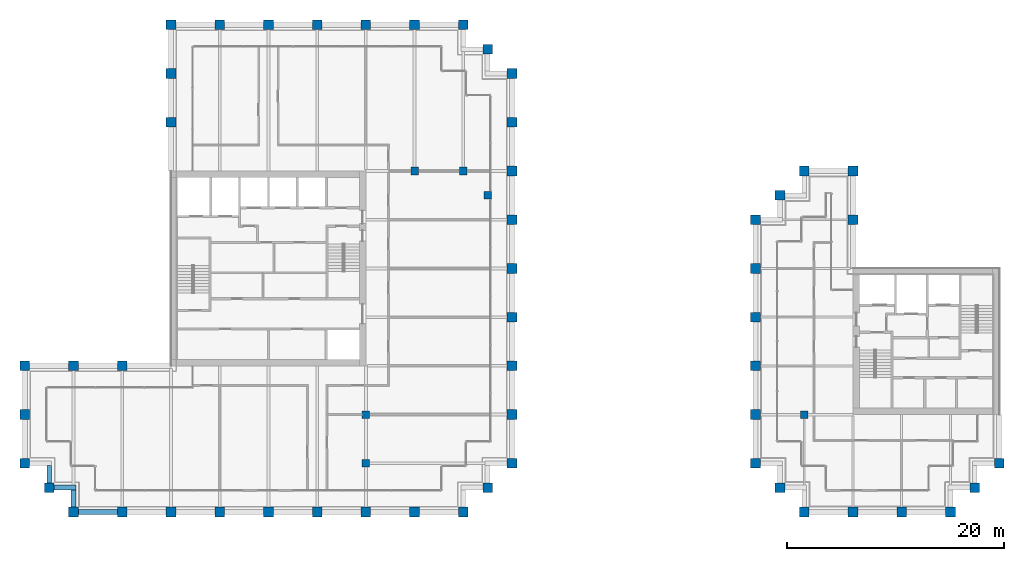
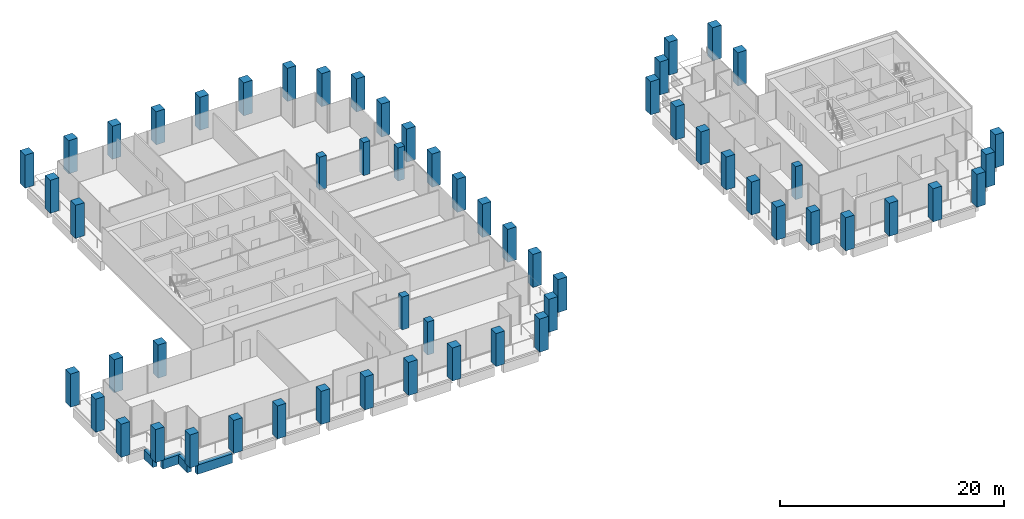
# One storey, part 1 of 40: 58 columns, 4 beams.
"""IFC4 building model written with IfcOpenShell, lengths in metres."""

from ifc_helpers import new_model, si_unit, direction, frame, origin, origin_2d, place, context, subcontext, project, spatial, rectangle, extrude, material, material_profile, profile_set, type_object, element, save


model = new_model("IFC4")

# Units and contexts
model_context = context("Model", 3, precision=1e-05, world=origin(), true_north=direction((0.0, 1.0)))
body_context = subcontext(model_context, "Body", "Model", "MODEL_VIEW")
ifc_project = project(units=[si_unit("LENGTHUNIT", "METRE"), si_unit("AREAUNIT", "SQUARE_METRE"), si_unit("VOLUMEUNIT", "CUBIC_METRE"), si_unit("PLANEANGLEUNIT", "RADIAN"), si_unit("MASSUNIT", "GRAM", prefix="KILO")], contexts=[model_context])

# Site, building, storey
site_placement = place(None, origin())
site = spatial("IfcSite", under=ifc_project, at=site_placement, CompositionType="ELEMENT")
building_placement = place(site_placement, origin())
building = spatial("IfcBuilding", under=site, at=building_placement, Name="Altepetl Exchange Towers", CompositionType="ELEMENT")
storey_placement = place(building_placement, frame((0.0, 0.0, 151.0)))
storey = spatial("IfcBuildingStorey", under=building, at=storey_placement, Name="L37", CompositionType="ELEMENT", Elevation=151.0)

# Columns
ifc_material_1 = material(Name="Concrete C70/85", Category="concrete")
ifc_material_profile_1 = material_profile(ifc_material_1, rectangle(XDim=0.699951171875, YDim=0.699951171875, at=origin_2d()), Name="700 x 700")
ifc_profile_set_1 = profile_set([ifc_material_profile_1], Name="Concrete C70/85")
column_type_1 = type_object("IfcColumnType", Name="Interior column 700", PredefinedType="COLUMN", material=ifc_profile_set_1)
for number, where, name in (
    (1, (58.5, 31.5, 0.0), "col:A:L37:035"),
    (2, (58.5, 36.0, 0.0), "col:A:L37:036"),
    (3, (63.0, 58.5, 0.0), "col:A:L37:037"),
    (4, (67.5, 58.5, 0.0), "col:A:L37:038"),
    (5, (69.75, 56.25, 0.0), "col:A:L37:039"),
    (6, (99.0, 36.0, 0.0), "col:B:L37:017"),
):
    element("IfcColumn", number, at=place(storey_placement, frame(where)), inside=storey, type_object=column_type_1, Name=name, PredefinedType="COLUMN", context=body_context, shape_type="SweptSolid", body=[
        extrude(rectangle(XDim=0.699951171875, YDim=0.699951171875, at=origin_2d()), origin(), (0.0, 0.0, 1.0), 3.60009765625),
    ])
ifc_material_2 = material(Name="Concrete C70/85 precast with cantera amarilla facing", Category="concrete")
ifc_material_profile_2 = material_profile(ifc_material_2, rectangle(XDim=0.89990234375, YDim=0.89990234375, at=origin_2d()), Name="900 x 900")
ifc_profile_set_2 = profile_set([ifc_material_profile_2], Name="Concrete C70/85 precast with cantera amarilla facing")
column_type_2 = type_object("IfcColumnType", Name="Perimeter column 900 cantera amarilla", PredefinedType="COLUMN", material=ifc_profile_set_2)
for number, where, name in (
    (7, (58.5, 27.0, 0.0), "col:A:L37:006"),
    (8, (63.0, 27.0, 0.0), "col:A:L37:007"),
    (9, (67.5, 27.0, 0.0), "col:A:L37:008"),
    (10, (69.75, 29.25, 0.0), "col:A:L37:009"),
    (11, (72.0, 31.5, 0.0), "col:A:L37:010"),
    (12, (72.0, 36.0, 0.0), "col:A:L37:011"),
    (13, (72.0, 40.5, 0.0), "col:A:L37:012"),
    (14, (72.0, 45.0, 0.0), "col:A:L37:013"),
    (15, (72.0, 49.5, 0.0), "col:A:L37:014"),
    (16, (72.0, 54.0, 0.0), "col:A:L37:015"),
):
    element("IfcColumn", number, at=place(storey_placement, frame(where)), inside=storey, type_object=column_type_2, Name=name, PredefinedType="COLUMN", context=body_context, shape_type="SweptSolid", body=[
        extrude(rectangle(XDim=0.89990234375, YDim=0.89990234375, at=origin_2d()), origin(), (0.0, 0.0, 1.0), 3.60009765625),
    ])
ifc_material_3 = material(Name="Concrete C70/85 precast with cantera blanca facing", Category="concrete")
ifc_material_profile_3 = material_profile(ifc_material_3, rectangle(XDim=0.89990234375, YDim=0.89990234375, at=origin_2d()), Name="900 x 900")
ifc_profile_set_3 = profile_set([ifc_material_profile_3], Name="Concrete C70/85 precast with cantera blanca facing")
column_type_3 = type_object("IfcColumnType", Name="Perimeter column 900 cantera blanca", PredefinedType="COLUMN", material=ifc_profile_set_3)
for number, where, name in (
    (17, (31.5, 27.0, 0.0), "col:A:L37:000"),
    (18, (36.0, 27.0, 0.0), "col:A:L37:001"),
    (19, (40.5, 27.0, 0.0), "col:A:L37:002"),
    (20, (45.0, 27.0, 0.0), "col:A:L37:003"),
    (21, (49.5, 27.0, 0.0), "col:A:L37:004"),
    (22, (54.0, 27.0, 0.0), "col:A:L37:005"),
    (23, (27.0, 36.0, 0.0), "col:A:L37:032"),
    (24, (27.0, 31.5, 0.0), "col:A:L37:033"),
    (25, (29.25, 29.25, 0.0), "col:A:L37:034"),
    (26, (117.0, 31.5, 0.0), "col:B:L37:005"),
):
    element("IfcColumn", number, at=place(storey_placement, frame(where)), inside=storey, type_object=column_type_3, Name=name, PredefinedType="COLUMN", context=body_context, shape_type="SweptSolid", body=[
        extrude(rectangle(XDim=0.89990234375, YDim=0.89990234375, at=origin_2d()), origin(), (0.0, 0.0, 1.0), 3.60009765625),
    ])
ifc_material_4 = material(Name="Concrete C70/85 precast with cantera rosa facing", Category="concrete")
ifc_material_profile_4 = material_profile(ifc_material_4, rectangle(XDim=0.89990234375, YDim=0.89990234375, at=origin_2d()), Name="900 x 900")
ifc_profile_set_4 = profile_set([ifc_material_profile_4], Name="Concrete C70/85 precast with cantera rosa facing")
column_type_4 = type_object("IfcColumnType", Name="Perimeter column 900 cantera rosa", PredefinedType="COLUMN", material=ifc_profile_set_4)
for number, where, name in (
    (27, (72.0, 58.5, 0.0), "col:A:L37:016"),
    (28, (72.0, 63.0, 0.0), "col:A:L37:017"),
    (29, (72.0, 67.5, 0.0), "col:A:L37:018"),
    (30, (69.75, 69.75, 0.0), "col:A:L37:019"),
    (31, (67.5, 72.0, 0.0), "col:A:L37:020"),
    (32, (63.0, 72.0, 0.0), "col:A:L37:021"),
    (33, (58.5, 72.0, 0.0), "col:A:L37:022"),
    (34, (54.0, 72.0, 0.0), "col:A:L37:023"),
    (35, (49.5, 72.0, 0.0), "col:A:L37:024"),
    (36, (45.0, 72.0, 0.0), "col:A:L37:025"),
    (37, (103.5, 54.0, 0.0), "col:B:L37:006"),
    (38, (103.5, 58.5, 0.0), "col:B:L37:007"),
    (39, (99.0, 58.5, 0.0), "col:B:L37:008"),
    (40, (96.75, 56.25, 0.0), "col:B:L37:009"),
    (41, (94.5, 54.0, 0.0), "col:B:L37:010"),
    (42, (94.5, 49.5, 0.0), "col:B:L37:011"),
    (43, (94.5, 45.0, 0.0), "col:B:L37:012"),
    (44, (94.5, 40.5, 0.0), "col:B:L37:013"),
    (45, (94.5, 36.0, 0.0), "col:B:L37:014"),
):
    element("IfcColumn", number, at=place(storey_placement, frame(where)), inside=storey, type_object=column_type_4, Name=name, PredefinedType="COLUMN", context=body_context, shape_type="SweptSolid", body=[
        extrude(rectangle(XDim=0.89990234375, YDim=0.89990234375, at=origin_2d()), origin(), (0.0, 0.0, 1.0), 3.60009765625),
    ])
ifc_material_5 = material(Name="Concrete C70/85 precast with tezontle facing", Category="concrete")
ifc_material_profile_5 = material_profile(ifc_material_5, rectangle(XDim=0.89990234375, YDim=0.89990234375, at=origin_2d()), Name="900 x 900")
ifc_profile_set_5 = profile_set([ifc_material_profile_5], Name="Concrete C70/85 precast with tezontle facing")
column_type_5 = type_object("IfcColumnType", Name="Perimeter column 900 tezontle", PredefinedType="COLUMN", material=ifc_profile_set_5)
for number, where, name in (
    (46, (40.5, 72.0, 0.0), "col:A:L37:026"),
    (47, (40.5, 67.5, 0.0), "col:A:L37:027"),
    (48, (40.5, 63.0, 0.0), "col:A:L37:028"),
    (49, (36.0, 40.5, 0.0), "col:A:L37:029"),
    (50, (31.5, 40.5, 0.0), "col:A:L37:030"),
    (51, (27.0, 40.5, 0.0), "col:A:L37:031"),
    (52, (99.0, 27.0, 0.0), "col:B:L37:000"),
    (53, (103.5, 27.0, 0.0), "col:B:L37:001"),
    (54, (108.0, 27.0, 0.0), "col:B:L37:002"),
    (55, (112.5, 27.0, 0.0), "col:B:L37:003"),
    (56, (114.75, 29.25, 0.0), "col:B:L37:004"),
    (57, (94.5, 31.5, 0.0), "col:B:L37:015"),
    (58, (96.75, 29.25, 0.0), "col:B:L37:016"),
):
    element("IfcColumn", number, at=place(storey_placement, frame(where)), inside=storey, type_object=column_type_5, Name=name, PredefinedType="COLUMN", context=body_context, shape_type="SweptSolid", body=[
        extrude(rectangle(XDim=0.89990234375, YDim=0.89990234375, at=origin_2d()), origin(), (0.0, 0.0, 1.0), 3.60009765625),
    ])

# Beams
ifc_material_6 = material(Name="Concrete C50/60 precast with cantera blanca facing", Category="concrete")
ifc_material_profile_6 = material_profile(ifc_material_6, rectangle(XDim=0.449951171875, YDim=1.0, at=origin_2d()), Name="450 x 1000")
ifc_profile_set_6 = profile_set([ifc_material_profile_6], Name="Concrete C50/60 precast with cantera blanca facing")
beam_type = type_object("IfcBeamType", Name="Spandrel beam 450x1000 cantera blanca", PredefinedType="SPANDREL", material=ifc_profile_set_6)
beam_1_placement = place(storey_placement, frame((31.949951171875, 27.0, -0.64990234375), z_axis=(1.0, 0.0, 0.0), x_axis=(0.0, 1.0, 0.0)))
element("IfcBeam", 59, at=beam_1_placement, inside=storey, type_object=beam_type, Name="sp:A:L37:000", PredefinedType="SPANDREL", context=body_context, shape_type="SweptSolid", body=[
    extrude(rectangle(XDim=0.449951171875, YDim=1.0, at=origin_2d()), origin(), (0.0, 0.0, 1.0), 3.60009765625),
])
beam_2_placement = place(storey_placement, frame((29.25, 31.27490234375, -0.64990234375), z_axis=(0.0, -1.0, 0.0), x_axis=(1.0, 0.0, 0.0)))
element("IfcBeam", 60, at=beam_2_placement, inside=storey, type_object=beam_type, Name="sp:A:L37:039", PredefinedType="SPANDREL", context=body_context, shape_type="SweptSolid", body=[
    extrude(rectangle(XDim=0.449951171875, YDim=1.0, at=origin_2d()), origin(), (0.0, 0.0, 1.0), 1.574951171875),
])
beam_3_placement = place(storey_placement, frame((29.699951171875, 29.25, -0.64990234375), z_axis=(1.0, 0.0, 0.0), x_axis=(0.0, 1.0, 0.0)))
element("IfcBeam", 61, at=beam_3_placement, inside=storey, type_object=beam_type, Name="sp:A:L37:040", PredefinedType="SPANDREL", context=body_context, shape_type="SweptSolid", body=[
    extrude(rectangle(XDim=0.449951171875, YDim=1.0, at=origin_2d()), origin(), (0.0, 0.0, 1.0), 2.025146484375),
])
beam_4_placement = place(storey_placement, frame((31.5, 29.02490234375, -0.64990234375), z_axis=(0.0, -1.0, 0.0), x_axis=(1.0, 0.0, 0.0)))
element("IfcBeam", 62, at=beam_4_placement, inside=storey, type_object=beam_type, Name="sp:A:L37:041", PredefinedType="SPANDREL", context=body_context, shape_type="SweptSolid", body=[
    extrude(rectangle(XDim=0.449951171875, YDim=1.0, at=origin_2d()), origin(), (0.0, 0.0, 1.0), 1.574951171875),
])

save(model, "model.ifc")
